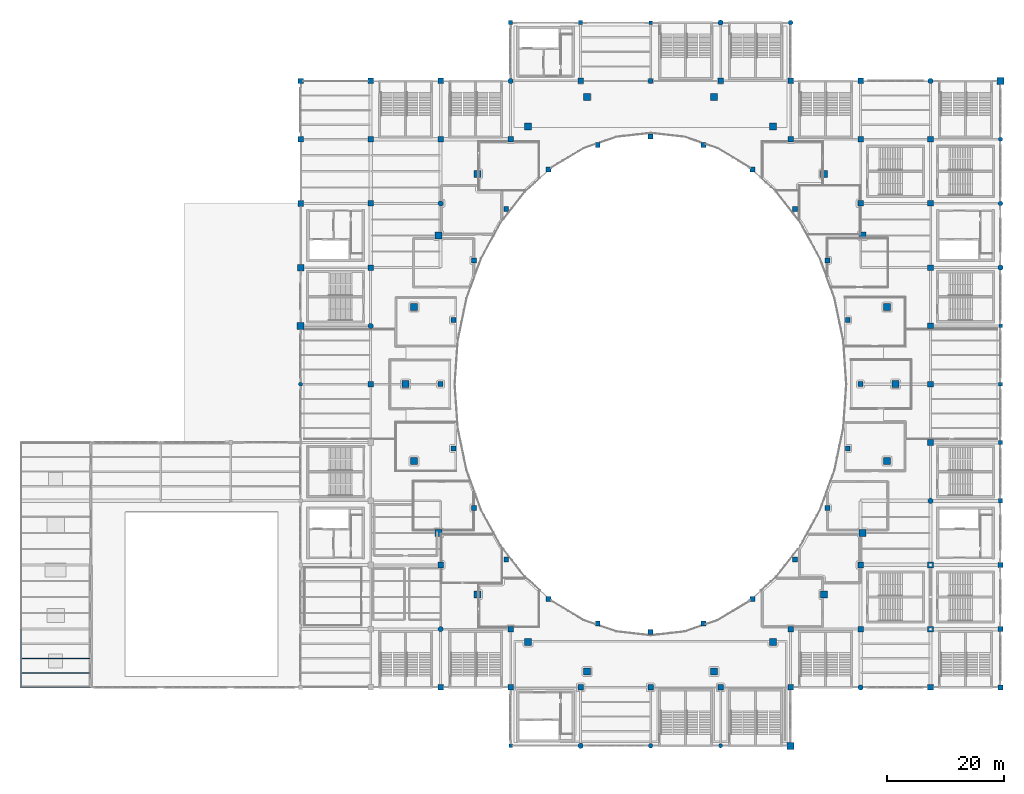
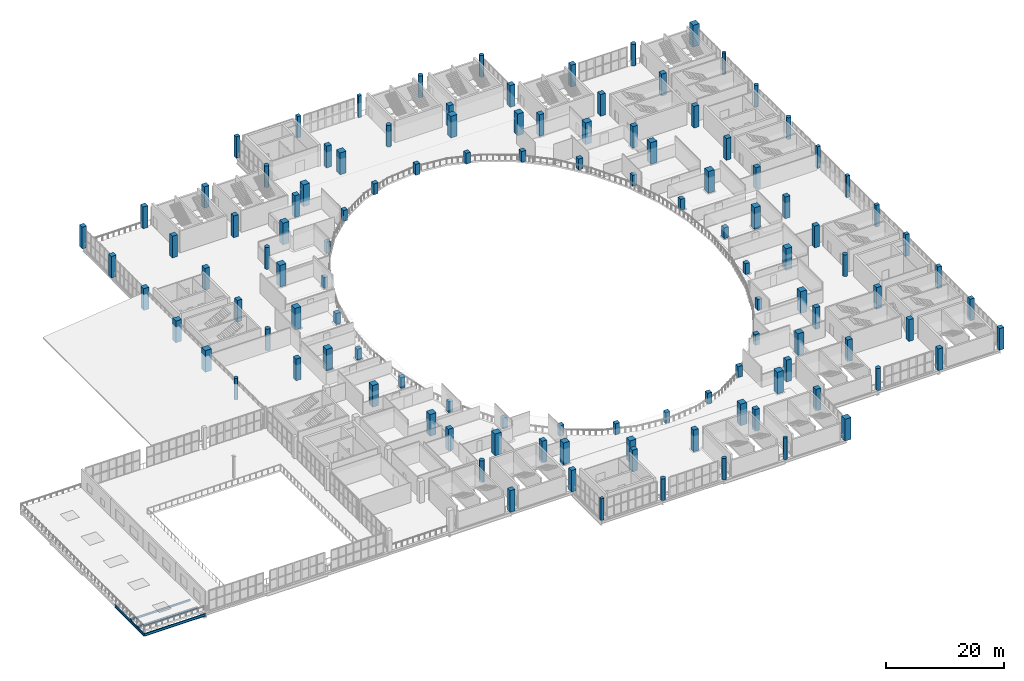
# One storey, part 2 of 90: 116 columns, 4 beams.
"""IFC4 building model written with IfcOpenShell, lengths in metres."""

from ifc_helpers import new_model, si_unit, direction, frame, origin, origin_2d, place, context, subcontext, project, spatial, rectangle, circle, i_section, extrude, material, material_profile, profile_set, type_object, element, save


model = new_model("IFC4")

# Units and contexts
model_context = context("Model", 3, precision=1e-05, world=origin(), true_north=direction((0.0, 1.0)))
body_context = subcontext(model_context, "Body", "Model", "MODEL_VIEW")
ifc_project = project(units=[si_unit("LENGTHUNIT", "METRE"), si_unit("AREAUNIT", "SQUARE_METRE"), si_unit("VOLUMEUNIT", "CUBIC_METRE"), si_unit("PLANEANGLEUNIT", "RADIAN"), si_unit("MASSUNIT", "GRAM", prefix="KILO")], contexts=[model_context])

# Site, building, storey
site_placement = place(None, origin())
site = spatial("IfcSite", under=ifc_project, at=site_placement, CompositionType="ELEMENT")
building_placement = place(site_placement, origin())
building = spatial("IfcBuilding", under=site, at=building_placement, Name="Brinegate Civic Arena", CompositionType="ELEMENT")
storey_placement = place(building_placement, frame((0.0, 0.0, 14.699951171875)))
storey = spatial("IfcBuildingStorey", under=building, at=storey_placement, Name="L03", CompositionType="ELEMENT", Elevation=14.699951171875)

# Columns
ifc_material_1 = material(Name="Concrete C50/60", Category="concrete")
ifc_material_profile_1 = material_profile(ifc_material_1, rectangle(XDim=1.199951171875, YDim=1.199951171875, at=origin_2d()), Name="RC1200X1200")
ifc_profile_set_1 = profile_set([ifc_material_profile_1], Name="Concrete C50/60")
column_type_1 = type_object("IfcColumnType", Name="COL-CC01-1200", PredefinedType="COLUMN", material=ifc_profile_set_1)
for number, where, z_axis, x_axis, name in (
    (1, (48.0, 72.0, 0.0), (0.0, 0.0, 1.0), (1.0, 0.0, 0.0), "Column COL-L03-5-H"),
    (2, (132.0, 0.0, 0.0), (0.0, 0.0, 1.0), (1.0, 0.0, 0.0), "Column COL-L03-12-A"),
    (3, (168.0, 114.0, 0.0), (0.0, 0.0, 1.0), (1.0, 0.0, 0.0), "Column COL-L03-15-M"),
    (4, (150.0, 62.0, 0.0), (0.0, 0.0, 1.0), (1.0, 0.0, 0.0), "Bowl Raker Column OUT-01-L03"),
    (5, (148.569091796875, 75.199951171875, 0.0), (0.0, 0.0, 1.0), (1.0, 0.0, 0.0), "Bowl Raker Column OUT-02-L03"),
    (6, (144.373046875, 87.5, 0.0), (0.0, 0.0, 1.0), (1.0, 0.0, 0.0), "Bowl Raker Column OUT-03-L03"),
    (7, (137.697998046875, 98.06201171875, 0.0), (0.0, 0.0, 1.0), (1.0, 0.0, 0.0), "Bowl Raker Column OUT-04-L03"),
    (8, (129.0, 106.1669921875, 0.0), (0.0, 0.0, 1.0), (1.0, 0.0, 0.0), "Bowl Raker Column OUT-05-L03"),
    (9, (118.8701171875, 111.261962890625, 0.0), (0.0, 0.0, 1.0), (1.0, 0.0, 0.0), "Bowl Raker Column OUT-06-L03"),
    (10, (97.1298828125, 111.261962890625, 0.0), (0.0, 0.0, 1.0), (1.0, 0.0, 0.0), "Bowl Raker Column OUT-08-L03"),
    (11, (87.0, 106.1669921875, 0.0), (0.0, 0.0, 1.0), (1.0, 0.0, 0.0), "Bowl Raker Column OUT-09-L03"),
    (12, (78.302001953125, 98.06201171875, 0.0), (0.0, 0.0, 1.0), (1.0, 0.0, 0.0), "Bowl Raker Column OUT-10-L03"),
    (13, (71.626953125, 87.5, 0.0), (0.0, 0.0, 1.0), (1.0, 0.0, 0.0), "Bowl Raker Column OUT-11-L03"),
    (14, (67.430908203125, 75.199951171875, 0.0), (0.0, 0.0, 1.0), (1.0, 0.0, 0.0), "Bowl Raker Column OUT-12-L03"),
    (15, (66.0, 62.0, 0.0), (0.0, 0.0, 1.0), (1.0, 0.0, 0.0), "Bowl Raker Column OUT-13-L03"),
    (16, (67.430908203125, 48.800048828125, 0.0), (0.0, 0.0, 1.0), (1.0, 0.0, 0.0), "Bowl Raker Column OUT-14-L03"),
    (17, (71.626953125, 36.5, 0.0), (0.0, 0.0, 1.0), (1.0, 0.0, 0.0), "Bowl Raker Column OUT-15-L03"),
    (18, (78.302001953125, 25.93798828125, 0.0), (0.0, 0.0, 1.0), (1.0, 0.0, 0.0), "Bowl Raker Column OUT-16-L03"),
    (19, (87.0, 17.8330078125, 0.0), (0.0, 0.0, 1.0), (1.0, 0.0, 0.0), "Bowl Raker Column OUT-17-L03"),
    (20, (97.1298828125, 12.738037109375, 0.0), (0.0, 0.0, 1.0), (1.0, 0.0, 0.0), "Bowl Raker Column OUT-18-L03"),
    (21, (118.8701171875, 12.738037109375, 0.0), (0.0, 0.0, 1.0), (1.0, 0.0, 0.0), "Bowl Raker Column OUT-20-L03"),
    (22, (129.0, 17.8330078125, 0.0), (0.0, 0.0, 1.0), (1.0, 0.0, 0.0), "Bowl Raker Column OUT-21-L03"),
    (23, (137.697998046875, 25.93798828125, 0.0), (0.0, 0.0, 1.0), (1.0, 0.0, 0.0), "Bowl Raker Column OUT-22-L03"),
    (24, (144.373046875, 36.5, 0.0), (0.0, 0.0, 1.0), (1.0, 0.0, 0.0), "Bowl Raker Column OUT-23-L03"),
    (25, (148.569091796875, 48.800048828125, 0.0), (0.0, 0.0, 1.0), (1.0, 0.0, 0.0), "Bowl Raker Column OUT-24-L03"),
):
    element("IfcColumn", number, at=place(storey_placement, frame(where, z_axis=z_axis, x_axis=x_axis)), inside=storey, type_object=column_type_1, Name=name, PredefinedType="COLUMN", context=body_context, shape_type="SweptSolid", body=[
        extrude(rectangle(XDim=1.199951171875, YDim=1.199951171875, at=origin_2d()), origin(), (0.0, 0.0, 1.0), 4.5),
    ])
ifc_material_profile_2 = material_profile(ifc_material_1, rectangle(XDim=1.10009765625, YDim=1.10009765625, at=origin_2d()), Name="RC1100X1100")
ifc_profile_set_2 = profile_set([ifc_material_profile_2], Name="Concrete C50/60")
column_type_2 = type_object("IfcColumnType", Name="COL-CC02-1100", PredefinedType="COLUMN", material=ifc_profile_set_2)
column_1_placement = place(storey_placement, frame((48.0, 82.0, 0.0), z_axis=(0.0, 0.0, 1.0), x_axis=(1.0, 0.0, 0.0)))
element("IfcColumn", 26, at=column_1_placement, inside=storey, type_object=column_type_2, Name="Column COL-L03-5-J", PredefinedType="COLUMN", context=body_context, shape_type="SweptSolid", body=[
    extrude(rectangle(XDim=1.10009765625, YDim=1.10009765625, at=origin_2d()), origin(), (0.0, 0.0, 1.0), 4.5),
])
ifc_material_profile_3 = material_profile(ifc_material_1, rectangle(XDim=1.0, YDim=1.0, at=origin_2d()), Name="RC1000X1000")
ifc_profile_set_3 = profile_set([ifc_material_profile_3], Name="Concrete C50/60")
column_type_3 = type_object("IfcColumnType", Name="COL-CC03-1000", PredefinedType="COLUMN", material=ifc_profile_set_3)
column_2_placement = place(storey_placement, frame((48.0, 93.0, 0.0), z_axis=(0.0, 0.0, 1.0), x_axis=(1.0, 0.0, 0.0)))
element("IfcColumn", 27, at=column_2_placement, inside=storey, type_object=column_type_3, Name="Column COL-L03-5-K", PredefinedType="COLUMN", context=body_context, shape_type="SweptSolid", body=[
    extrude(rectangle(XDim=1.0, YDim=1.0, at=origin_2d()), origin(), (0.0, 0.0, 1.0), 4.5),
])
ifc_material_profile_4 = material_profile(ifc_material_1, rectangle(XDim=0.949951171875, YDim=0.949951171875, at=origin_2d()), Name="RC950X950")
ifc_profile_set_4 = profile_set([ifc_material_profile_4], Name="Concrete C50/60")
column_type_4 = type_object("IfcColumnType", Name="COL-CC04-950", PredefinedType="COLUMN", material=ifc_profile_set_4)
for number, where, z_axis, x_axis, name in (
    (28, (48.0, 104.0, 0.0), (0.0, 0.0, 1.0), (1.0, 0.0, 0.0), "Column COL-L03-5-L"),
    (29, (60.0, 62.0, 0.0), (0.0, 0.0, 1.0), (1.0, 0.0, 0.0), "Column COL-L03-6-G"),
    (30, (60.0, 82.0, 0.0), (0.0, 0.0, 1.0), (1.0, 0.0, 0.0), "Column COL-L03-6-J"),
    (31, (60.0, 93.0, 0.0), (0.0, 0.0, 1.0), (1.0, 0.0, 0.0), "Column COL-L03-6-K"),
    (32, (60.0, 104.0, 0.0), (0.0, 0.0, 1.0), (1.0, 0.0, 0.0), "Column COL-L03-6-L"),
    (33, (60.0, 114.0, 0.0), (0.0, 0.0, 1.0), (1.0, 0.0, 0.0), "Column COL-L03-6-M"),
    (34, (72.0, 10.0, 0.0), (0.0, 0.0, 1.0), (1.0, 0.0, 0.0), "Column COL-L03-7-B"),
    (35, (72.0, 31.0, 0.0), (0.0, 0.0, 1.0), (1.0, 0.0, 0.0), "Column COL-L03-7-D"),
    (36, (72.0, 104.0, 0.0), (0.0, 0.0, 1.0), (1.0, 0.0, 0.0), "Column COL-L03-7-L"),
    (37, (72.0, 114.0, 0.0), (0.0, 0.0, 1.0), (1.0, 0.0, 0.0), "Column COL-L03-7-M"),
    (38, (84.0, 10.0, 0.0), (0.0, 0.0, 1.0), (1.0, 0.0, 0.0), "Column COL-L03-8-B"),
    (39, (84.0, 20.0, 0.0), (0.0, 0.0, 1.0), (1.0, 0.0, 0.0), "Column COL-L03-8-C"),
    (40, (84.0, 104.0, 0.0), (0.0, 0.0, 1.0), (1.0, 0.0, 0.0), "Column COL-L03-8-L"),
    (41, (96.0, 10.0, 0.0), (0.0, 0.0, 1.0), (1.0, 0.0, 0.0), "Column COL-L03-9-B"),
    (42, (96.0, 114.0, 0.0), (0.0, 0.0, 1.0), (1.0, 0.0, 0.0), "Column COL-L03-9-M"),
    (43, (108.0, 10.0, 0.0), (0.0, 0.0, 1.0), (1.0, 0.0, 0.0), "Column COL-L03-10-B"),
    (44, (120.0, 10.0, 0.0), (0.0, 0.0, 1.0), (1.0, 0.0, 0.0), "Column COL-L03-11-B"),
    (45, (120.0, 114.0, 0.0), (0.0, 0.0, 1.0), (1.0, 0.0, 0.0), "Column COL-L03-11-M"),
    (46, (132.0, 10.0, 0.0), (0.0, 0.0, 1.0), (1.0, 0.0, 0.0), "Column COL-L03-12-B"),
    (47, (132.0, 20.0, 0.0), (0.0, 0.0, 1.0), (1.0, 0.0, 0.0), "Column COL-L03-12-C"),
    (48, (132.0, 104.0, 0.0), (0.0, 0.0, 1.0), (1.0, 0.0, 0.0), "Column COL-L03-12-L"),
    (49, (132.0, 114.0, 0.0), (0.0, 0.0, 1.0), (1.0, 0.0, 0.0), "Column COL-L03-12-M"),
    (50, (144.0, 20.0, 0.0), (0.0, 0.0, 1.0), (1.0, 0.0, 0.0), "Column COL-L03-13-C"),
    (51, (144.0, 31.0, 0.0), (0.0, 0.0, 1.0), (1.0, 0.0, 0.0), "Column COL-L03-13-D"),
    (52, (144.0, 93.0, 0.0), (0.0, 0.0, 1.0), (1.0, 0.0, 0.0), "Column COL-L03-13-K"),
    (53, (144.0, 104.0, 0.0), (0.0, 0.0, 1.0), (1.0, 0.0, 0.0), "Column COL-L03-13-L"),
    (54, (144.0, 114.0, 0.0), (0.0, 0.0, 1.0), (1.0, 0.0, 0.0), "Column COL-L03-13-M"),
    (55, (156.0, 10.0, 0.0), (0.0, 0.0, 1.0), (1.0, 0.0, 0.0), "Column COL-L03-14-B"),
    (56, (156.0, 20.0, 0.0), (0.0, 0.0, 1.0), (1.0, 0.0, 0.0), "Column COL-L03-14-C"),
    (57, (156.0, 31.0, 0.0), (0.0, 0.0, 1.0), (1.0, 0.0, 0.0), "Column COL-L03-14-D"),
    (58, (156.0, 52.0, 0.0), (0.0, 0.0, 1.0), (1.0, 0.0, 0.0), "Column COL-L03-14-F"),
    (59, (156.0, 62.0, 0.0), (0.0, 0.0, 1.0), (1.0, 0.0, 0.0), "Column COL-L03-14-G"),
    (60, (156.0, 72.0, 0.0), (0.0, 0.0, 1.0), (1.0, 0.0, 0.0), "Column COL-L03-14-H"),
    (61, (156.0, 82.0, 0.0), (0.0, 0.0, 1.0), (1.0, 0.0, 0.0), "Column COL-L03-14-J"),
    (62, (156.0, 93.0, 0.0), (0.0, 0.0, 1.0), (1.0, 0.0, 0.0), "Column COL-L03-14-K"),
    (63, (156.0, 104.0, 0.0), (0.0, 0.0, 1.0), (1.0, 0.0, 0.0), "Column COL-L03-14-L"),
):
    element("IfcColumn", number, at=place(storey_placement, frame(where, z_axis=z_axis, x_axis=x_axis)), inside=storey, type_object=column_type_4, Name=name, PredefinedType="COLUMN", context=body_context, shape_type="SweptSolid", body=[
        extrude(rectangle(XDim=0.949951171875, YDim=0.949951171875, at=origin_2d()), origin(), (0.0, 0.0, 1.0), 4.5),
    ])
ifc_material_profile_5 = material_profile(ifc_material_1, rectangle(XDim=0.89990234375, YDim=0.89990234375, at=origin_2d()), Name="RC900X900")
ifc_profile_set_5 = profile_set([ifc_material_profile_5], Name="Concrete C50/60")
column_type_5 = type_object("IfcColumnType", Name="COL-CC05-900", PredefinedType="COLUMN", material=ifc_profile_set_5)
for number, where, z_axis, x_axis, name in (
    (64, (48.0, 114.0, 0.0), (0.0, 0.0, 1.0), (1.0, 0.0, 0.0), "Column COL-L03-5-M"),
    (65, (168.0, 10.0, 0.0), (0.0, 0.0, 1.0), (1.0, 0.0, 0.0), "Column COL-L03-15-B"),
):
    element("IfcColumn", number, at=place(storey_placement, frame(where, z_axis=z_axis, x_axis=x_axis)), inside=storey, type_object=column_type_5, Name=name, PredefinedType="COLUMN", context=body_context, shape_type="SweptSolid", body=[
        extrude(rectangle(XDim=0.89990234375, YDim=0.89990234375, at=origin_2d()), origin(), (0.0, 0.0, 1.0), 4.5),
    ])
ifc_material_profile_6 = material_profile(ifc_material_1, rectangle(XDim=0.85009765625, YDim=0.85009765625, at=origin_2d()), Name="RC850X850")
ifc_profile_set_6 = profile_set([ifc_material_profile_6], Name="Concrete C50/60")
column_type_6 = type_object("IfcColumnType", Name="COL-CC06-850", PredefinedType="COLUMN", material=ifc_profile_set_6)
column_3_placement = place(storey_placement, frame((168.0, 20.0, 0.0), z_axis=(0.0, 0.0, 1.0), x_axis=(1.0, 0.0, 0.0)))
element("IfcColumn", 66, at=column_3_placement, inside=storey, type_object=column_type_6, Name="Column COL-L03-15-C", PredefinedType="COLUMN", context=body_context, shape_type="SweptSolid", body=[
    extrude(rectangle(XDim=0.85009765625, YDim=0.85009765625, at=origin_2d()), origin(), (0.0, 0.0, 1.0), 4.5),
])
for number, where, z_axis, x_axis, name in (
    (67, (144.0, 62.0, 0.0), (0.0, 0.0, 1.0), (1.0, 0.0, 0.0), "Upper Raker Inner Column UIN-01-L03"),
    (68, (141.806884765625, 73.0, 0.0), (0.0, 0.0, 1.0), (1.0, 0.0, 0.0), "Upper Raker Inner Column UIN-02-L03"),
    (69, (138.31103515625, 83.25, 0.0), (0.0, 0.0, 1.0), (1.0, 0.0, 0.0), "Upper Raker Inner Column UIN-03-L03"),
    (70, (132.7490234375, 92.052001953125, 0.0), (0.0, 0.0, 1.0), (1.0, 0.0, 0.0), "Upper Raker Inner Column UIN-04-L03"),
    (71, (125.5, 98.805908203125, 0.0), (0.0, 0.0, 1.0), (1.0, 0.0, 0.0), "Upper Raker Inner Column UIN-05-L03"),
    (72, (117.05908203125, 103.052001953125, 0.0), (0.0, 0.0, 1.0), (1.0, 0.0, 0.0), "Upper Raker Inner Column UIN-06-L03"),
    (73, (108.0, 104.5, 0.0), (0.0, 0.0, 1.0), (1.0, 0.0, 0.0), "Upper Raker Inner Column UIN-07-L03"),
    (74, (98.94091796875, 103.052001953125, 0.0), (0.0, 0.0, 1.0), (1.0, 0.0, 0.0), "Upper Raker Inner Column UIN-08-L03"),
    (75, (90.5, 98.805908203125, 0.0), (0.0, 0.0, 1.0), (1.0, 0.0, 0.0), "Upper Raker Inner Column UIN-09-L03"),
    (76, (83.2509765625, 92.052001953125, 0.0), (0.0, 0.0, 1.0), (1.0, 0.0, 0.0), "Upper Raker Inner Column UIN-10-L03"),
    (77, (77.68896484375, 83.25, 0.0), (0.0, 0.0, 1.0), (1.0, 0.0, 0.0), "Upper Raker Inner Column UIN-11-L03"),
    (78, (74.193115234375, 73.0, 0.0), (0.0, 0.0, 1.0), (1.0, 0.0, 0.0), "Upper Raker Inner Column UIN-12-L03"),
    (79, (72.0, 62.0, 0.0), (0.0, 0.0, 1.0), (1.0, 0.0, 0.0), "Upper Raker Inner Column UIN-13-L03"),
    (80, (74.193115234375, 51.0, 0.0), (0.0, 0.0, 1.0), (1.0, 0.0, 0.0), "Upper Raker Inner Column UIN-14-L03"),
    (81, (77.68896484375, 40.75, 0.0), (0.0, 0.0, 1.0), (1.0, 0.0, 0.0), "Upper Raker Inner Column UIN-15-L03"),
    (82, (83.2509765625, 31.947998046875, 0.0), (0.0, 0.0, 1.0), (1.0, 0.0, 0.0), "Upper Raker Inner Column UIN-16-L03"),
    (83, (90.5, 25.194091796875, 0.0), (0.0, 0.0, 1.0), (1.0, 0.0, 0.0), "Upper Raker Inner Column UIN-17-L03"),
    (84, (98.94091796875, 20.947998046875, 0.0), (0.0, 0.0, 1.0), (1.0, 0.0, 0.0), "Upper Raker Inner Column UIN-18-L03"),
    (85, (108.0, 19.5, 0.0), (0.0, 0.0, 1.0), (1.0, 0.0, 0.0), "Upper Raker Inner Column UIN-19-L03"),
    (86, (117.05908203125, 20.947998046875, 0.0), (0.0, 0.0, 1.0), (1.0, 0.0, 0.0), "Upper Raker Inner Column UIN-20-L03"),
    (87, (125.5, 25.194091796875, 0.0), (0.0, 0.0, 1.0), (1.0, 0.0, 0.0), "Upper Raker Inner Column UIN-21-L03"),
    (88, (132.7490234375, 31.947998046875, 0.0), (0.0, 0.0, 1.0), (1.0, 0.0, 0.0), "Upper Raker Inner Column UIN-22-L03"),
    (89, (138.31103515625, 40.75, 0.0), (0.0, 0.0, 1.0), (1.0, 0.0, 0.0), "Upper Raker Inner Column UIN-23-L03"),
    (90, (141.806884765625, 51.0, 0.0), (0.0, 0.0, 1.0), (1.0, 0.0, 0.0), "Upper Raker Inner Column UIN-24-L03"),
):
    element("IfcColumn", number, at=place(storey_placement, frame(where, z_axis=z_axis, x_axis=x_axis)), inside=storey, type_object=column_type_6, Name=name, PredefinedType="COLUMN", context=body_context, shape_type="SweptSolid", body=[
        extrude(rectangle(XDim=0.85009765625, YDim=0.85009765625, at=origin_2d()), origin(), (0.0, 0.0, 1.0), 2.25),
    ])
ifc_material_profile_7 = material_profile(ifc_material_1, rectangle(XDim=0.800048828125, YDim=0.800048828125, at=origin_2d()), Name="RC800X800")
ifc_profile_set_7 = profile_set([ifc_material_profile_7], Name="Concrete C50/60")
column_type_7 = type_object("IfcColumnType", Name="COL-CC07-800", PredefinedType="COLUMN", material=ifc_profile_set_7)
column_4_placement = place(storey_placement, frame((168.0, 31.0, 0.0), z_axis=(0.0, 0.0, 1.0), x_axis=(1.0, 0.0, 0.0)))
element("IfcColumn", 91, at=column_4_placement, inside=storey, type_object=column_type_7, Name="Column COL-L03-15-D", PredefinedType="COLUMN", context=body_context, shape_type="SweptSolid", body=[
    extrude(rectangle(XDim=0.800048828125, YDim=0.800048828125, at=origin_2d()), origin(), (0.0, 0.0, 1.0), 4.5),
])
ifc_material_profile_8 = material_profile(ifc_material_1, rectangle(XDim=0.75, YDim=0.75, at=origin_2d()), Name="RC750X750")
ifc_profile_set_8 = profile_set([ifc_material_profile_8], Name="Concrete C50/60")
column_type_8 = type_object("IfcColumnType", Name="COL-CC08-750", PredefinedType="COLUMN", material=ifc_profile_set_8)
column_5_placement = place(storey_placement, frame((168.0, 42.0, 0.0), z_axis=(0.0, 0.0, 1.0), x_axis=(1.0, 0.0, 0.0)))
element("IfcColumn", 92, at=column_5_placement, inside=storey, type_object=column_type_8, Name="Column COL-L03-15-E", PredefinedType="COLUMN", context=body_context, shape_type="SweptSolid", body=[
    extrude(rectangle(XDim=0.75, YDim=0.75, at=origin_2d()), origin(), (0.0, 0.0, 1.0), 4.5),
])
ifc_material_profile_9 = material_profile(ifc_material_1, rectangle(XDim=0.699951171875, YDim=0.699951171875, at=origin_2d()), Name="RC700X700")
ifc_profile_set_9 = profile_set([ifc_material_profile_9], Name="Concrete C50/60")
column_type_9 = type_object("IfcColumnType", Name="COL-CC09-700", PredefinedType="COLUMN", material=ifc_profile_set_9)
for number, where, z_axis, x_axis, name in (
    (93, (84.0, 124.0, 0.0), (0.0, 0.0, 1.0), (1.0, 0.0, 0.0), "Column COL-L03-8-N"),
    (94, (168.0, 52.0, 0.0), (0.0, 0.0, 1.0), (1.0, 0.0, 0.0), "Column COL-L03-15-F"),
):
    element("IfcColumn", number, at=place(storey_placement, frame(where, z_axis=z_axis, x_axis=x_axis)), inside=storey, type_object=column_type_9, Name=name, PredefinedType="COLUMN", context=body_context, shape_type="SweptSolid", body=[
        extrude(rectangle(XDim=0.699951171875, YDim=0.699951171875, at=origin_2d()), origin(), (0.0, 0.0, 1.0), 4.5),
    ])
ifc_material_profile_10 = material_profile(ifc_material_1, rectangle(XDim=0.64990234375, YDim=0.64990234375, at=origin_2d()), Name="RC650X650")
ifc_profile_set_10 = profile_set([ifc_material_profile_10], Name="Concrete C50/60")
column_type_10 = type_object("IfcColumnType", Name="COL-CC10-650", PredefinedType="COLUMN", material=ifc_profile_set_10)
for number, where, z_axis, x_axis, name in (
    (95, (96.0, 124.0, 0.0), (0.0, 0.0, 1.0), (1.0, 0.0, 0.0), "Column COL-L03-9-N"),
    (96, (168.0, 62.0, 0.0), (0.0, 0.0, 1.0), (1.0, 0.0, 0.0), "Column COL-L03-15-G"),
):
    element("IfcColumn", number, at=place(storey_placement, frame(where, z_axis=z_axis, x_axis=x_axis)), inside=storey, type_object=column_type_10, Name=name, PredefinedType="COLUMN", context=body_context, shape_type="SweptSolid", body=[
        extrude(rectangle(XDim=0.64990234375, YDim=0.64990234375, at=origin_2d()), origin(), (0.0, 0.0, 1.0), 4.5),
    ])
ifc_material_profile_11 = material_profile(ifc_material_1, rectangle(XDim=0.60009765625, YDim=0.60009765625, at=origin_2d()), Name="RC600X600")
ifc_profile_set_11 = profile_set([ifc_material_profile_11], Name="Concrete C50/60")
column_type_11 = type_object("IfcColumnType", Name="COL-CC11-600", PredefinedType="COLUMN", material=ifc_profile_set_11)
for number, where, z_axis, x_axis, name in (
    (97, (84.0, 0.0, 0.0), (0.0, 0.0, 1.0), (1.0, 0.0, 0.0), "Column COL-L03-8-A"),
    (98, (108.0, 124.0, 0.0), (0.0, 0.0, 1.0), (1.0, 0.0, 0.0), "Column COL-L03-10-N"),
    (99, (168.0, 72.0, 0.0), (0.0, 0.0, 1.0), (1.0, 0.0, 0.0), "Column COL-L03-15-H"),
):
    element("IfcColumn", number, at=place(storey_placement, frame(where, z_axis=z_axis, x_axis=x_axis)), inside=storey, type_object=column_type_11, Name=name, PredefinedType="COLUMN", context=body_context, shape_type="SweptSolid", body=[
        extrude(rectangle(XDim=0.60009765625, YDim=0.60009765625, at=origin_2d()), origin(), (0.0, 0.0, 1.0), 4.5),
    ])
ifc_material_profile_12 = material_profile(ifc_material_1, circle(Radius=0.449951171875, at=origin_2d()), Name="RCD900")
ifc_profile_set_12 = profile_set([ifc_material_profile_12], Name="Concrete C50/60")
column_type_12 = type_object("IfcColumnType", Name="COL-CC12-D900", PredefinedType="COLUMN", material=ifc_profile_set_12)
for number, where, z_axis, x_axis, name in (
    (100, (60.0, 72.0, 0.0), (0.0, 0.0, 1.0), (1.0, 0.0, 0.0), "Column COL-L03-6-H"),
    (101, (72.0, 20.0, 0.0), (0.0, 0.0, 1.0), (1.0, 0.0, 0.0), "Column COL-L03-7-C"),
    (102, (72.0, 93.0, 0.0), (0.0, 0.0, 1.0), (1.0, 0.0, 0.0), "Column COL-L03-7-K"),
    (103, (84.0, 114.0, 0.0), (0.0, 0.0, 1.0), (1.0, 0.0, 0.0), "Column COL-L03-8-M"),
    (104, (96.0, 0.0, 0.0), (0.0, 0.0, 1.0), (1.0, 0.0, 0.0), "Column COL-L03-9-A"),
    (105, (108.0, 114.0, 0.0), (0.0, 0.0, 1.0), (1.0, 0.0, 0.0), "Column COL-L03-10-M"),
    (106, (120.0, 124.0, 0.0), (0.0, 0.0, 1.0), (1.0, 0.0, 0.0), "Column COL-L03-11-N"),
    (107, (144.0, 10.0, 0.0), (0.0, 0.0, 1.0), (1.0, 0.0, 0.0), "Column COL-L03-13-B"),
    (108, (156.0, 42.0, 0.0), (0.0, 0.0, 1.0), (1.0, 0.0, 0.0), "Column COL-L03-14-E"),
    (109, (156.0, 114.0, 0.0), (0.0, 0.0, 1.0), (1.0, 0.0, 0.0), "Column COL-L03-14-M"),
    (110, (168.0, 82.0, 0.0), (0.0, 0.0, 1.0), (1.0, 0.0, 0.0), "Column COL-L03-15-J"),
):
    element("IfcColumn", number, at=place(storey_placement, frame(where, z_axis=z_axis, x_axis=x_axis)), inside=storey, type_object=column_type_12, Name=name, PredefinedType="COLUMN", context=body_context, shape_type="SweptSolid", body=[
        extrude(circle(Radius=0.449951171875, at=origin_2d()), origin(), (0.0, 0.0, 1.0), 4.5),
    ])
ifc_material_profile_13 = material_profile(ifc_material_1, circle(Radius=0.39990234375, at=origin_2d()), Name="RCD800")
ifc_profile_set_13 = profile_set([ifc_material_profile_13], Name="Concrete C50/60")
column_type_13 = type_object("IfcColumnType", Name="COL-CC13-D800", PredefinedType="COLUMN", material=ifc_profile_set_13)
for number, where, z_axis, x_axis, name in (
    (111, (108.0, 0.0, 0.0), (0.0, 0.0, 1.0), (1.0, 0.0, 0.0), "Column COL-L03-10-A"),
    (112, (132.0, 124.0, 0.0), (0.0, 0.0, 1.0), (1.0, 0.0, 0.0), "Column COL-L03-12-N"),
    (113, (168.0, 93.0, 0.0), (0.0, 0.0, 1.0), (1.0, 0.0, 0.0), "Column COL-L03-15-K"),
):
    element("IfcColumn", number, at=place(storey_placement, frame(where, z_axis=z_axis, x_axis=x_axis)), inside=storey, type_object=column_type_13, Name=name, PredefinedType="COLUMN", context=body_context, shape_type="SweptSolid", body=[
        extrude(circle(Radius=0.39990234375, at=origin_2d()), origin(), (0.0, 0.0, 1.0), 4.5),
    ])
ifc_material_profile_14 = material_profile(ifc_material_1, circle(Radius=0.35009765625, at=origin_2d()), Name="RCD700")
ifc_profile_set_14 = profile_set([ifc_material_profile_14], Name="Concrete C50/60")
column_type_14 = type_object("IfcColumnType", Name="COL-CC14-D700", PredefinedType="COLUMN", material=ifc_profile_set_14)
for number, where, z_axis, x_axis, name in (
    (114, (48.0, 62.0, 0.0), (0.0, 0.0, 1.0), (1.0, 0.0, 0.0), "Column COL-L03-5-G"),
    (115, (120.0, 0.0, 0.0), (0.0, 0.0, 1.0), (1.0, 0.0, 0.0), "Column COL-L03-11-A"),
    (116, (168.0, 104.0, 0.0), (0.0, 0.0, 1.0), (1.0, 0.0, 0.0), "Column COL-L03-15-L"),
):
    element("IfcColumn", number, at=place(storey_placement, frame(where, z_axis=z_axis, x_axis=x_axis)), inside=storey, type_object=column_type_14, Name=name, PredefinedType="COLUMN", context=body_context, shape_type="SweptSolid", body=[
        extrude(circle(Radius=0.35009765625, at=origin_2d()), origin(), (0.0, 0.0, 1.0), 4.5),
    ])

# Beams
ifc_material_2 = material(Name="Steel S355", Category="steel")
ifc_material_profile_15 = material_profile(ifc_material_2, i_section(OverallWidth=0.178955078125, OverallDepth=0.409912109375, WebThickness=0.009033203125, FlangeThickness=0.013916015625, FilletRadius=0.013916015625, at=origin_2d()), Name="W410X67")
ifc_profile_set_15 = profile_set([ifc_material_profile_15], Name="Steel S355")
beam_type_1 = type_object("IfcBeamType", Name="JOIST-W410X67", PredefinedType="JOIST", material=ifc_profile_set_15)
beam_1_placement = place(storey_placement, frame((0.10595703125, 15.0, -0.554931640625), z_axis=(1.0, 0.0, 0.0), x_axis=(0.0, 1.0, 0.0)))
element("IfcBeam", 117, at=beam_1_placement, inside=storey, type_object=beam_type_1, Name="Secondary Joist BM-L03-JX-00-01-2", PredefinedType="JOIST", context=body_context, shape_type="SweptSolid", body=[
    extrude(i_section(OverallWidth=0.178955078125, OverallDepth=0.409912109375, WebThickness=0.009033203125, FlangeThickness=0.013916015625, FilletRadius=0.013916015625, at=origin_2d()), origin(), (0.0, 0.0, 1.0), 11.7880859375),
])
ifc_material_profile_16 = material_profile(ifc_material_2, i_section(OverallWidth=0.180908203125, OverallDepth=0.4169921875, WebThickness=0.010986328125, FlangeThickness=0.01806640625, FilletRadius=0.013916015625, at=origin_2d()), Name="W410X85")
ifc_profile_set_16 = profile_set([ifc_material_profile_16], Name="Steel S355")
beam_type_2 = type_object("IfcBeamType", Name="JOIST-W410X85", PredefinedType="JOIST", material=ifc_profile_set_16)
beam_2_placement = place(storey_placement, frame((0.10595703125, 12.5, -0.557861328125), z_axis=(1.0, 0.0, 0.0), x_axis=(0.0, 1.0, 0.0)))
element("IfcBeam", 118, at=beam_2_placement, inside=storey, type_object=beam_type_2, Name="Secondary Joist BM-L03-JX-00-01-1", PredefinedType="JOIST", context=body_context, shape_type="SweptSolid", body=[
    extrude(i_section(OverallWidth=0.180908203125, OverallDepth=0.4169921875, WebThickness=0.010986328125, FlangeThickness=0.01806640625, FilletRadius=0.013916015625, at=origin_2d()), origin(), (0.0, 0.0, 1.0), 11.7880859375),
])
ifc_material_profile_17 = material_profile(ifc_material_2, i_section(OverallWidth=0.2119140625, OverallDepth=0.5439453125, WebThickness=0.012939453125, FlangeThickness=0.02099609375, FilletRadius=0.01611328125, at=origin_2d()), Name="W530X123")
ifc_profile_set_17 = profile_set([ifc_material_profile_17], Name="Steel S355")
beam_type_3 = type_object("IfcBeamType", Name="SPANDREL-W530X123", PredefinedType="SPANDREL", material=ifc_profile_set_17)
beam_3_placement = place(storey_placement, frame((0.0, 10.0, -0.6220703125), z_axis=(1.0, 0.0, 0.0), x_axis=(0.0, 1.0, 0.0)))
element("IfcBeam", 119, at=beam_3_placement, inside=storey, type_object=beam_type_3, Name="Floor Girder BM-L03-GX-00-01", PredefinedType="SPANDREL", context=body_context, shape_type="SweptSolid", body=[
    extrude(i_section(OverallWidth=0.2119140625, OverallDepth=0.5439453125, WebThickness=0.012939453125, FlangeThickness=0.02099609375, FilletRadius=0.01611328125, at=origin_2d()), origin(), (0.0, 0.0, 1.0), 12.0),
])
beam_4_placement = place(storey_placement, frame((0.0, 10.0, -0.6220703125), z_axis=(0.0, 1.0, 0.0), x_axis=(-1.0, 0.0, 0.0)))
element("IfcBeam", 120, at=beam_4_placement, inside=storey, type_object=beam_type_3, Name="Floor Girder BM-L03-GY-00-01", PredefinedType="SPANDREL", context=body_context, shape_type="SweptSolid", body=[
    extrude(i_section(OverallWidth=0.2119140625, OverallDepth=0.5439453125, WebThickness=0.012939453125, FlangeThickness=0.02099609375, FilletRadius=0.01611328125, at=origin_2d()), origin(), (0.0, 0.0, 1.0), 10.0),
])

save(model, "model.ifc")
